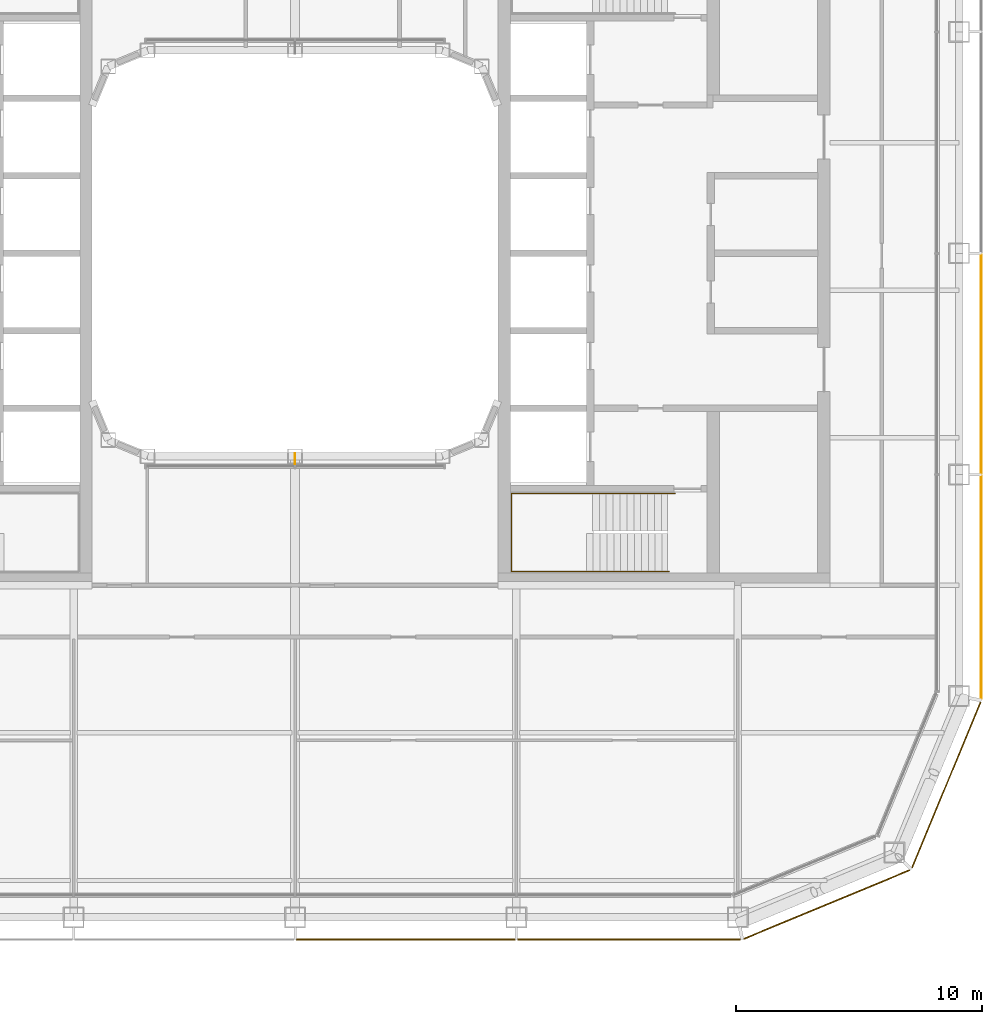
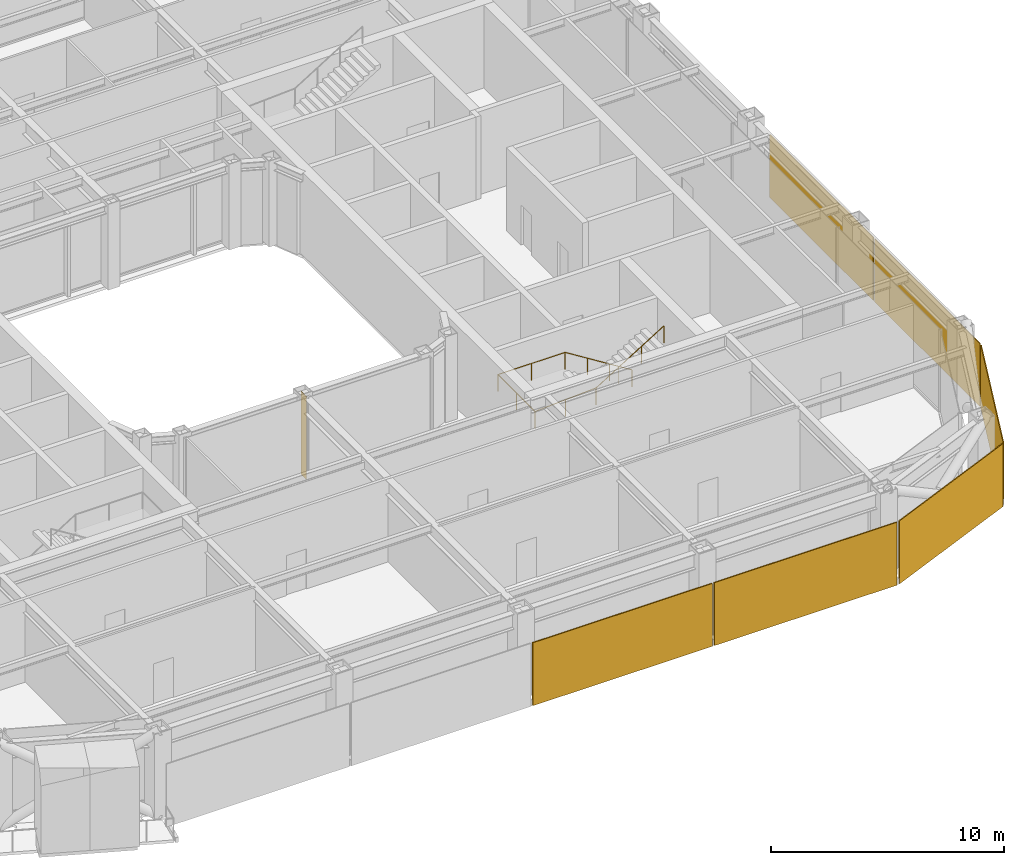
# One storey, part 20 of 23: 6 coverings, 1 railing, 1 shading device.
"""IFC4 building model written with IfcOpenShell, lengths in metres."""

from ifc_helpers import new_model, si_unit, direction, frame, origin, origin_2d, place, context, subcontext, project, spatial, rectangle, circle, extrude, material, layer, layer_set, type_object, element, save


model = new_model("IFC4")

# Units and contexts
model_context = context("Model", 3, precision=1e-05, world=origin(), true_north=direction((0.0, 1.0)))
body_context = subcontext(model_context, "Body", "Model", "MODEL_VIEW")
ifc_project = project(units=[si_unit("LENGTHUNIT", "METRE"), si_unit("AREAUNIT", "SQUARE_METRE"), si_unit("VOLUMEUNIT", "CUBIC_METRE"), si_unit("PLANEANGLEUNIT", "RADIAN"), si_unit("MASSUNIT", "GRAM", prefix="KILO")], contexts=[model_context])

# Site, building, storey
site_placement = place(None, origin())
site = spatial("IfcSite", under=ifc_project, at=site_placement, CompositionType="ELEMENT")
building_placement = place(site_placement, origin())
building = spatial("IfcBuilding", under=site, at=building_placement, Name="Siwar Civic Tower", CompositionType="ELEMENT")
storey_placement = place(building_placement, frame((0.0, 0.0, 197.199951171875)))
storey = spatial("IfcBuildingStorey", under=building, at=storey_placement, Name="L42", CompositionType="ELEMENT", Elevation=197.199951171875)

# Railing
ifc_material_1 = material(Name="Stainless steel", Category="steel")
railing_type = type_object("IfcRailingType", Name="CORE-STAIR-HANDRAIL", PredefinedType="HANDRAIL", material=ifc_material_1)
railing_placement = place(storey_placement, frame((15.449951171875, -9.758056640625, 0.173095703125)))
element("IfcRailing", 1, at=railing_placement, inside=storey, type_object=railing_type, Name="Stair handrail ST4", PredefinedType="HANDRAIL", context=body_context, shape_type="SweptSolid", body=[
    extrude(circle(Radius=0.02001953125, at=origin_2d()), frame((0.0, 0.0, 0.8798828125), z_axis=(-0.847063342986, 0.0, 0.531491950051), x_axis=(0.0, -1.0, 0.0)), (0.0, 0.0, 1.0), 3.90771484375),
    extrude(circle(Radius=0.02001953125, at=origin_2d()), frame((-3.31005859375, 0.0, 2.956787109375), z_axis=(-1.0, 0.0, 0.0), x_axis=(0.0, -1.0, 0.0)), (0.0, 0.0, 1.0), 3.331787109375),
    extrude(circle(Radius=0.02001953125, at=origin_2d()), frame((-6.641845703125, 0.0, 2.956787109375), z_axis=(0.0, -1.0, 0.0), x_axis=(1.0, 0.0, 0.0)), (0.0, 0.0, 1.0), 3.183837890625),
    extrude(circle(Radius=0.02001953125, at=origin_2d()), frame((-6.641845703125, -3.183837890625, 2.956787109375), z_axis=(0.99837434197, 0.0, 0.056997134106), x_axis=(0.0, 1.0, 0.0)), (0.0, 0.0, 1.0), 3.036865234375),
    extrude(circle(Radius=0.02001953125, at=origin_2d()), frame((-3.60986328125, -3.183837890625, 3.1298828125), z_axis=(0.850606129759, 0.0, 0.525803396734), x_axis=(0.0, 1.0, 0.0)), (0.0, 0.0, 1.0), 3.949951171875),
    extrude(circle(Radius=0.02001953125, at=origin_2d()), origin(), (0.0, 0.0, 1.0), 0.85986328125),
    extrude(circle(Radius=0.02001953125, at=origin_2d()), frame((-1.103271484375, 0.0, 0.6923828125)), (0.0, 0.0, 1.0), 0.85986328125),
    extrude(circle(Radius=0.02001953125, at=origin_2d()), frame((-2.206787109375, 0.0, 1.384521484375)), (0.0, 0.0, 1.0), 0.85986328125),
    extrude(circle(Radius=0.02001953125, at=origin_2d()), frame((-3.31005859375, 0.0, 2.076904296875)), (0.0, 0.0, 1.0), 0.85986328125),
    extrude(circle(Radius=0.02001953125, at=origin_2d()), frame((-4.97607421875, 0.0, 2.076904296875)), (0.0, 0.0, 1.0), 0.85986328125),
    extrude(circle(Radius=0.02001953125, at=origin_2d()), frame((-6.641845703125, 0.0, 2.076904296875)), (0.0, 0.0, 1.0), 0.85986328125),
    extrude(circle(Radius=0.02001953125, at=origin_2d()), frame((-6.641845703125, -1.591796875, 2.076904296875)), (0.0, 0.0, 1.0), 0.85986328125),
    extrude(circle(Radius=0.02001953125, at=origin_2d()), frame((-6.641845703125, -3.183837890625, 2.076904296875)), (0.0, 0.0, 1.0), 0.85986328125),
    extrude(circle(Radius=0.02001953125, at=origin_2d()), frame((-5.1259765625, -3.183837890625, 2.16357421875)), (0.0, 0.0, 1.0), 0.85986328125),
    extrude(circle(Radius=0.02001953125, at=origin_2d()), frame((-3.60986328125, -3.183837890625, 2.25)), (0.0, 0.0, 1.0), 0.85986328125),
    extrude(circle(Radius=0.02001953125, at=origin_2d()), frame((-2.489990234375, -3.183837890625, 2.9423828125)), (0.0, 0.0, 1.0), 0.85986328125),
    extrude(circle(Radius=0.02001953125, at=origin_2d()), frame((-1.369873046875, -3.183837890625, 3.634521484375)), (0.0, 0.0, 1.0), 0.85986328125),
    extrude(circle(Radius=0.02001953125, at=origin_2d()), frame((-0.25, -3.183837890625, 4.326904296875)), (0.0, 0.0, 1.0), 0.85986328125),
])

# Shading device
ifc_material_2 = material(Name="Aluminium 6063-T6", Category="aluminium")
ifc_layer_1 = layer(ifc_material_2, 0.02001953125)
ifc_layer_set_1 = layer_set([ifc_layer_1], Name="Aluminium 6063-T6")
shading_device_type = type_object("IfcShadingDeviceType", Name="ENV-FIN", PredefinedType="JALOUSIE", material=ifc_layer_set_1)
shading_device_placement = place(storey_placement, frame((0.0, -8.344970703125, 0.0), z_axis=(0.0, 0.0, 1.0), x_axis=(1.0, 0.0, 0.0)))
element("IfcShadingDevice", 2, at=shading_device_placement, inside=storey, type_object=shading_device_type, Name="SUNSHADE fin WS 1", PredefinedType="JALOUSIE", context=body_context, shape_type="SweptSolid", body=[
    extrude(rectangle(XDim=0.02001953125, YDim=0.449951171875, at=origin_2d()), origin(), (0.0, 0.0, 1.0), 4.35009765625),
])

# Coverings
ifc_material_3 = material(Name="Perforated aluminium cassette, pale metal", Category="aluminium")
ifc_layer_2 = layer(ifc_material_3, 0.0400390625)
ifc_layer_set_2 = layer_set([ifc_layer_2], Name="Perforated aluminium cassette, pale metal")
covering_type_1 = type_object("IfcCoveringType", Name="ENV-OUTER SKIN OS-1", PredefinedType="CLADDING", material=ifc_layer_set_2)
covering_1_placement = place(storey_placement, frame((27.89990234375, -13.57958984375, -0.14990234375), z_axis=(0.0, 0.0, 1.0), x_axis=(0.0, 1.0, 0.0)))
element("IfcCovering", 3, at=covering_1_placement, inside=storey, type_object=covering_type_1, Name="OUTER SKIN OS-1 E 1", PredefinedType="CLADDING", context=body_context, shape_type="SweptSolid", body=[
    extrude(rectangle(XDim=9.05908203125, YDim=0.0400390625, at=origin_2d()), origin(), (0.0, 0.0, 1.0), 3.300048828125),
])
covering_2_placement = place(storey_placement, frame((27.89990234375, -4.5, -0.14990234375), z_axis=(0.0, 0.0, 1.0), x_axis=(0.0, 1.0, 0.0)))
element("IfcCovering", 4, at=covering_2_placement, inside=storey, type_object=covering_type_1, Name="OUTER SKIN OS-1 E 2", PredefinedType="CLADDING", context=body_context, shape_type="SweptSolid", body=[
    extrude(rectangle(XDim=8.89990234375, YDim=0.0400390625, at=origin_2d()), origin(), (0.0, 0.0, 1.0), 3.300048828125),
])
ifc_material_4 = material(Name="Perforated aluminium cassette, pale metal", Category="aluminium")
ifc_layer_3 = layer(ifc_material_4, 0.044921875)
ifc_layer_set_3 = layer_set([ifc_layer_3], Name="Perforated aluminium cassette, pale metal")
covering_type_2 = type_object("IfcCoveringType", Name="ENV-OUTER SKIN OS-2", PredefinedType="CLADDING", material=ifc_layer_set_3)
covering_3_placement = place(storey_placement, frame((26.476318359375, -21.615966796875, -0.14990234375), z_axis=(0.0, 0.0, 1.0), x_axis=(0.382683432365, 0.923879532511, 0.0)))
element("IfcCovering", 5, at=covering_3_placement, inside=storey, type_object=covering_type_2, Name="OUTER SKIN OS-2 SE2 1", PredefinedType="CLADDING", context=body_context, shape_type="SweptSolid", body=[
    extrude(rectangle(XDim=7.300048828125, YDim=0.044921875, at=origin_2d()), origin(), (0.0, 0.0, 1.0), 3.300048828125),
])
ifc_material_5 = material(Name="Perforated aluminium cassette, pale metal", Category="aluminium")
ifc_layer_4 = layer(ifc_material_5, 0.050048828125)
ifc_layer_set_4 = layer_set([ifc_layer_4], Name="Perforated aluminium cassette, pale metal")
covering_type_3 = type_object("IfcCoveringType", Name="ENV-OUTER SKIN OS-3", PredefinedType="CLADDING", material=ifc_layer_set_4)
covering_4_placement = place(storey_placement, frame((21.615966796875, -26.476318359375, -0.14990234375), z_axis=(0.0, 0.0, 1.0), x_axis=(0.923879532511, 0.382683432365, 0.0)))
element("IfcCovering", 6, at=covering_4_placement, inside=storey, type_object=covering_type_3, Name="OUTER SKIN OS-3 SE1 1", PredefinedType="CLADDING", context=body_context, shape_type="SweptSolid", body=[
    extrude(rectangle(XDim=7.300048828125, YDim=0.050048828125, at=origin_2d()), origin(), (0.0, 0.0, 1.0), 3.300048828125),
])
ifc_material_6 = material(Name="Perforated aluminium cassette, pale metal", Category="aluminium")
ifc_layer_5 = layer(ifc_material_6, 0.054931640625)
ifc_layer_set_5 = layer_set([ifc_layer_5], Name="Perforated aluminium cassette, pale metal")
covering_type_4 = type_object("IfcCoveringType", Name="ENV-OUTER SKIN OS-4", PredefinedType="CLADDING", material=ifc_layer_set_5)
covering_5_placement = place(storey_placement, frame((4.5, -27.89990234375, -0.14990234375), z_axis=(0.0, 0.0, 1.0), x_axis=(1.0, 0.0, 0.0)))
element("IfcCovering", 7, at=covering_5_placement, inside=storey, type_object=covering_type_4, Name="OUTER SKIN OS-4 S 3", PredefinedType="CLADDING", context=body_context, shape_type="SweptSolid", body=[
    extrude(rectangle(XDim=8.89990234375, YDim=0.054931640625, at=origin_2d()), origin(), (0.0, 0.0, 1.0), 3.300048828125),
])
covering_6_placement = place(storey_placement, frame((13.57958984375, -27.89990234375, -0.14990234375), z_axis=(0.0, 0.0, 1.0), x_axis=(1.0, 0.0, 0.0)))
element("IfcCovering", 8, at=covering_6_placement, inside=storey, type_object=covering_type_4, Name="OUTER SKIN OS-4 S 4", PredefinedType="CLADDING", context=body_context, shape_type="SweptSolid", body=[
    extrude(rectangle(XDim=9.05908203125, YDim=0.054931640625, at=origin_2d()), origin(), (0.0, 0.0, 1.0), 3.300048828125),
])

save(model, "model.ifc")
